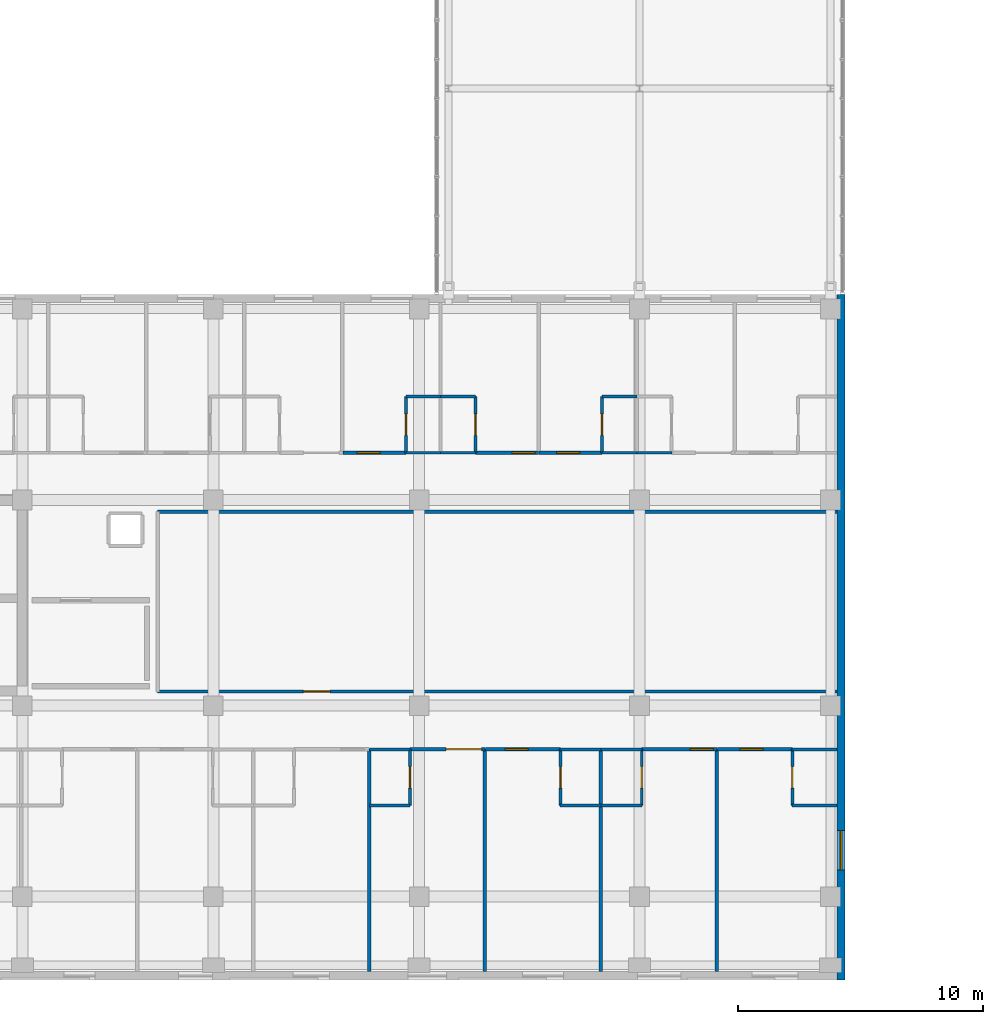
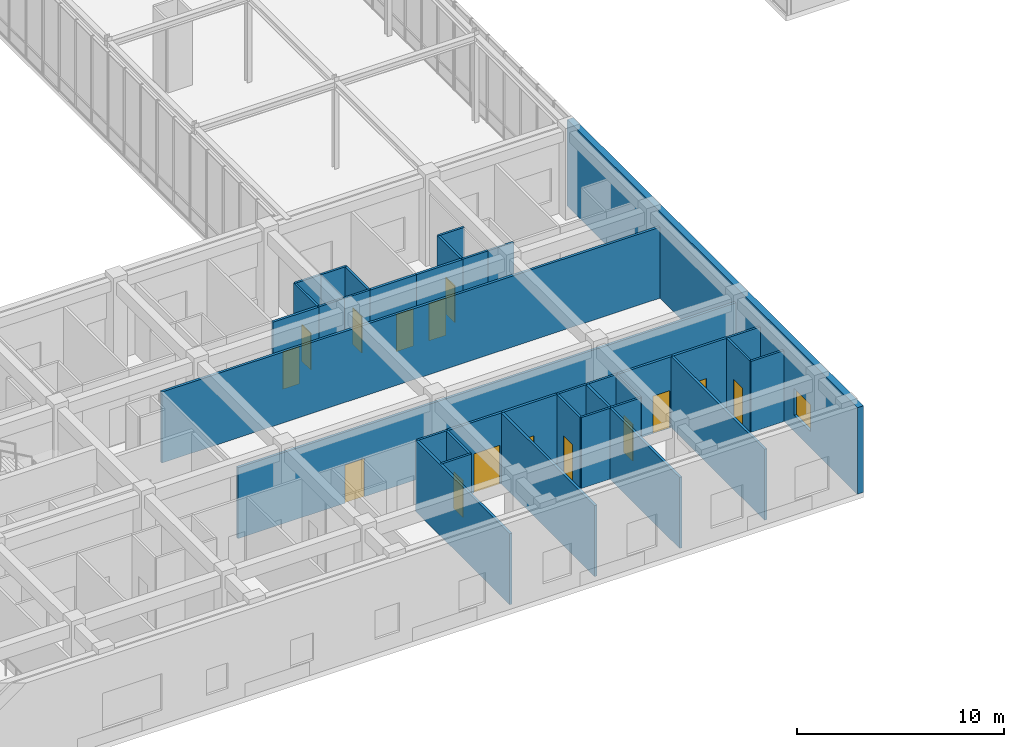
# One storey, part 109 of 139: 36 walls, 15 doors, 1 window, 16 openings.
"""IFC4 building model written with IfcOpenShell, lengths in metres."""

import ifcopenshell
import ifcopenshell.guid

model = None  # the IFC model being written
_history = None  # IfcOwnerHistory: only IFC2X3 demands one
_inside = {}  # id of a spatial element -> (the spatial element, [elements in it])
_under = {}  # id of a project, library or spatial element -> (it, [spatial elements below it])
_declared = {}  # id of a project -> (the project, [libraries it declares])
_typed = {}  # id of a type object -> (the type object, [elements of that type])
_made_of = {}  # id of a material, layer set ... -> (it, [elements and type objects made of it])


def new_model(schema):
    """Start an empty IFC model of exactly this schema.

    Asked for "IFC4X3", IfcOpenShell would pick the latest addendum, in which some entities
    have other attributes; the version numbers below select the first issue.
    IFC2X3 requires an IfcOwnerHistory on every rooted entity: one is made here for all.
    """
    global model, _history
    if schema == "IFC4X3":
        model = ifcopenshell.file(schema_version=(4, 3, 0, 0))
    else:
        model = ifcopenshell.file(schema=schema)
    _inside.clear()
    _under.clear()
    _declared.clear()
    _typed.clear()
    _made_of.clear()
    _history = None
    if model.schema == "IFC2X3":
        org = make("IfcOrganization", Name="unknown")
        user = make(
            "IfcPersonAndOrganization",
            ThePerson=make("IfcPerson", FamilyName="unknown"),
            TheOrganization=org,
        )
        app = make(
            "IfcApplication",
            ApplicationDeveloper=org,
            Version="unknown",
            ApplicationFullName="unknown",
            ApplicationIdentifier="unknown",
        )
        _history = make(
            "IfcOwnerHistory",
            OwningUser=user,
            OwningApplication=app,
            ChangeAction="ADDED",
            CreationDate=0,
        )
    return model


def make(cls, **values):
    """One entity of the class cls with the attributes given. An attribute that is None is left unset."""
    return model.create_entity(
        cls, **{name: value for name, value in values.items() if value is not None}
    )


def rooted(cls, **values):
    """An entity with a GlobalId (a new one), such as an element, a storey or a relation."""
    return make(cls, GlobalId=ifcopenshell.guid.new(), OwnerHistory=_history, **values)


def si_unit(unit_type, name, prefix=None):
    """IfcSIUnit, for example si_unit("LENGTHUNIT", "METRE", prefix="MILLI")."""
    return make("IfcSIUnit", UnitType=unit_type, Prefix=prefix, Name=name)


def assignment(units):
    """IfcUnitAssignment: the units of a project."""
    return None if units is None else make("IfcUnitAssignment", Units=units)


def point(xyz):
    """IfcCartesianPoint."""
    return None if xyz is None else make("IfcCartesianPoint", Coordinates=xyz)


def direction(xyz):
    """IfcDirection."""
    return None if xyz is None else make("IfcDirection", DirectionRatios=xyz)


def frame(location, z_axis=None, x_axis=None):
    """IfcAxis2Placement3D, a coordinate frame: its origin and axes. An axis left out is left unset."""
    return make(
        "IfcAxis2Placement3D",
        Location=point(location),
        Axis=direction(z_axis),
        RefDirection=direction(x_axis),
    )


def frame_2d(location, x_axis=None):
    """IfcAxis2Placement2D, a coordinate frame in the plane: its origin and x axis."""
    return make(
        "IfcAxis2Placement2D", Location=point(location), RefDirection=direction(x_axis)
    )


def origin():
    """The frame at (0, 0, 0) with its axes left unset."""
    return frame((0.0, 0.0, 0.0))


def place(relative_to, where):
    """IfcLocalPlacement: puts the frame where relative to a parent placement (None: the world)."""
    return make(
        "IfcLocalPlacement", PlacementRelTo=relative_to, RelativePlacement=where
    )


def context(
    kind, dimensions, precision=None, world=None, true_north=None, identifier=None
):
    """IfcGeometricRepresentationContext, for example the 3D "Model" context."""
    return make(
        "IfcGeometricRepresentationContext",
        ContextIdentifier=identifier,
        ContextType=kind,
        CoordinateSpaceDimension=dimensions,
        Precision=precision,
        WorldCoordinateSystem=world,
        TrueNorth=true_north,
    )


def subcontext(parent, identifier, kind, view, scale=None):
    """IfcGeometricRepresentationSubContext, for example "Body" below "Model"."""
    return make(
        "IfcGeometricRepresentationSubContext",
        ContextIdentifier=identifier,
        ContextType=kind,
        ParentContext=parent,
        TargetScale=scale,
        TargetView=view,
    )


def project(units=None, contexts=None):
    """IfcProject with its units and contexts."""
    return rooted(
        "IfcProject",
        Name="project",
        RepresentationContexts=contexts,
        UnitsInContext=assignment(units),
    )


def spatial(cls, under=None, at=None, **own):
    """A site, building, storey or space (cls), placed at a placement, below another one or the project."""
    s = rooted(cls, ObjectPlacement=at, **own)
    if under is not None:
        _under.setdefault(under.id(), (under, []))[1].append(s)
    return s


def profile(cls, at=None, kind="AREA", **sizes):
    """A parametric profile (cls). Its sizes go by their IFC names, for example OverallWidth=200.0."""
    return make(cls, ProfileType=kind, Position=at, **sizes)


def rectangle(**sizes):
    """IfcRectangleProfileDef."""
    return profile("IfcRectangleProfileDef", **sizes)


def extrude(swept, where, along, depth):
    """IfcExtrudedAreaSolid: the profile swept, set in the frame where, extruded along a direction by depth."""
    return make(
        "IfcExtrudedAreaSolid",
        SweptArea=swept,
        Position=where,
        ExtrudedDirection=direction(along),
        Depth=depth,
    )


def shape(context_of_items, identifier, shape_type, items):
    """IfcShapeRepresentation: the items that make up one representation, for example the "Body"."""
    return make(
        "IfcShapeRepresentation",
        ContextOfItems=context_of_items,
        RepresentationIdentifier=identifier,
        RepresentationType=shape_type,
        Items=items,
    )


def material(Name=None, Category=None):
    """IfcMaterial."""
    return make("IfcMaterial", Name=Name, Category=Category)


def layer(
    of_material, thickness, ventilated=None, Name=None, Category=None, Priority=None
):
    """IfcMaterialLayer: one layer of a wall or slab, of a material (None: an air gap)."""
    return make(
        "IfcMaterialLayer",
        Material=of_material,
        LayerThickness=thickness,
        IsVentilated=ventilated,
        Name=Name,
        Category=Category,
        Priority=Priority,
    )


def layer_set(layers, Name=None):
    """IfcMaterialLayerSet."""
    return make("IfcMaterialLayerSet", MaterialLayers=layers, LayerSetName=Name)


def made_of(thing, what):
    """Note that an element or type object is made of a material, layer set ...; save() writes the relation."""
    if what is not None:
        _made_of.setdefault(what.id(), (what, []))[1].append(thing)
    return thing


def type_object(cls, material=None, **own):
    """A type object (cls), such as IfcWallType, which elements share."""
    return made_of(rooted(cls, **own), material)


def element(
    cls,
    number,
    at=None,
    inside=None,
    cuts=None,
    type_object=None,
    material=None,
    context=None,
    identifier="Body",
    shape_type=None,
    held_by="IfcProductDefinitionShape",
    body=None,
    shapes=None,
    **own,
):
    """One element of the class cls, such as IfcWall. Its Tag is "e" and its number.

    at: its placement. inside: the storey or other place that contains it. cuts: it is an
    opening in that element (IfcRelVoidsElement). A single representation is given by context,
    identifier, shape_type and body (its items); several are given by shapes. held_by: the class
    of the entity that holds the representations. save() writes the other relations.
    """
    e = rooted(cls, Tag="e%d" % number, ObjectPlacement=at, **own)
    if body is not None:
        shapes = [shape(context, identifier, shape_type, body)]
    if shapes is not None:
        e.Representation = make(held_by, Representations=shapes)
    if inside is not None:
        _inside.setdefault(inside.id(), (inside, []))[1].append(e)
    if cuts is not None:
        rooted(
            "IfcRelVoidsElement", RelatingBuildingElement=cuts, RelatedOpeningElement=e
        )
    if type_object is not None:
        _typed.setdefault(type_object.id(), (type_object, []))[1].append(e)
    return made_of(e, material)


def fill(opening, filler):
    """IfcRelFillsElement: the door or window that sits in an opening."""
    return rooted(
        "IfcRelFillsElement",
        RelatingOpeningElement=opening,
        RelatedBuildingElement=filler,
    )


def aggregate(whole, parts):
    """IfcRelAggregates: a whole, such as a stair, and the parts it consists of."""
    return rooted("IfcRelAggregates", RelatingObject=whole, RelatedObjects=parts)


def save(model, path):
    """Write the relations noted so far, then the file.

    IfcRelAggregates (storeys below a building ...), IfcRelContainedInSpatialStructure (elements
    in a storey), IfcRelDefinesByType, IfcRelAssociatesMaterial and IfcRelDeclares: one each for
    every whole, place, type object, material and project.
    """
    for whole, parts in _under.values():
        aggregate(whole, parts)
    for where, things in _inside.values():
        rooted(
            "IfcRelContainedInSpatialStructure",
            RelatedElements=things,
            RelatingStructure=where,
        )
    for kind, things in _typed.values():
        rooted("IfcRelDefinesByType", RelatedObjects=things, RelatingType=kind)
    for what, things in _made_of.values():
        rooted("IfcRelAssociatesMaterial", RelatedObjects=things, RelatingMaterial=what)
    for by, libraries in _declared.values():
        rooted("IfcRelDeclares", RelatingContext=by, RelatedDefinitions=libraries)
    model.write(path)


model = new_model("IFC4")

# Units and contexts
model_context = context("Model", 3, precision=1e-05, world=origin(), true_north=direction((0.0, 1.0)))
body_context = subcontext(model_context, "Body", "Model", "MODEL_VIEW")
ifc_project = project(units=[si_unit("LENGTHUNIT", "METRE"), si_unit("AREAUNIT", "SQUARE_METRE"), si_unit("VOLUMEUNIT", "CUBIC_METRE"), si_unit("PLANEANGLEUNIT", "RADIAN"), si_unit("MASSUNIT", "GRAM", prefix="KILO")], contexts=[model_context])

# Site, building, storey
site_placement = place(None, origin())
site = spatial("IfcSite", under=ifc_project, at=site_placement, CompositionType="ELEMENT")
building_placement = place(site_placement, origin())
building = spatial("IfcBuilding", under=site, at=building_placement, Name="Zayran Congress Hotel", CompositionType="ELEMENT")
storey_placement = place(building_placement, frame((0.0, 0.0, 5.39990234375)))
storey = spatial("IfcBuildingStorey", under=building, at=storey_placement, Name="L01", CompositionType="ELEMENT", Elevation=5.39990234375)

# Wall, opening, window
ifc_material_1 = material(Name="Hajar Ma'ani limestone and insulated concrete C32/40", Category="masonry")
ifc_layer_1 = layer(ifc_material_1, 0.340087890625)
ifc_layer_set_1 = layer_set([ifc_layer_1], Name="Hajar Ma'ani limestone and insulated concrete C32/40")
wall_type_1 = type_object("IfcWallType", Name="WL-EX-340", PredefinedType="SOLIDWALL", material=ifc_layer_set_1)
wall_1_placement = place(storey_placement, frame((92.22998046875, 34.0, 0.0), z_axis=(0.0, 0.0, 1.0), x_axis=(0.0, -1.0, 0.0)))
wall_1 = element("IfcWall", 1, at=wall_1_placement, inside=storey, type_object=wall_type_1, Name="EW-V5-E-L01", PredefinedType="SOLIDWALL", context=body_context, shape_type="SweptSolid", body=[
    extrude(rectangle(XDim=28.0, YDim=0.340087890625, at=frame_2d((14.0, 0.0))), origin(), (0.0, 0.0, 1.0), 5.10009765625),
])
opening_1_placement = place(wall_1_placement, frame((21.89990234375, 0.0, 0.949951171875)))
opening_1 = element("IfcOpeningElement", 2, at=opening_1_placement, cuts=wall_1, Name="Opening WN-15", PredefinedType="OPENING", context=body_context, shape_type="SweptSolid", body=[
    extrude(rectangle(XDim=1.60009765625, YDim=1.60009765625, at=frame_2d((0.800048828125, 0.800048828125))), frame((0.0, 0.179931640625, 0.0), z_axis=(0.0, -1.0, 0.0), x_axis=(1.0, 0.0, 0.0)), (0.0, 0.0, 1.0), 0.360107421875),
])
ifc_material_2 = material(Name="Anodised aluminium and low-E insulated glass", Category="aluminium")
window_type = type_object("IfcWindowType", Name="TP-WN-15", PartitioningType="SINGLE_PANEL", PredefinedType="WINDOW", material=ifc_material_2)
window_placement = place(opening_1_placement, origin())
window = element("IfcWindow", 3, at=window_placement, inside=storey, type_object=window_type, Name="WIN-V5E-L01", OverallHeight=1.60009765625, OverallWidth=1.60009765625, PartitioningType="SINGLE_PANEL", PredefinedType="WINDOW", context=body_context, shape_type="SweptSolid", body=[
    extrude(rectangle(XDim=1.60009765625, YDim=1.60009765625, at=frame_2d((0.800048828125, 0.800048828125))), frame((0.0, 0.030029296875, 0.0), z_axis=(0.0, -1.0, 0.0), x_axis=(1.0, 0.0, 0.0)), (0.0, 0.0, 1.0), 0.06005859375),
])
fill(opening_1, window)

# Wall, opening, door
ifc_material_3 = material(Name="Hospitality guestroom acoustic partition", Category="gypsum")
ifc_layer_2 = layer(ifc_material_3, 0.139892578125)
ifc_layer_set_2 = layer_set([ifc_layer_2], Name="Hospitality guestroom acoustic partition")
wall_type_2 = type_object("IfcWallType", Name="WL-PT-140", PredefinedType="PARTITIONING", material=ifc_layer_set_2)
wall_2_placement = place(storey_placement, frame((64.320068359375, 17.780029296875, 0.0), z_axis=(0.0, 0.0, 1.0), x_axis=(1.0, 0.0, 0.0)))
wall_2 = element("IfcWall", 4, at=wall_2_placement, inside=storey, type_object=wall_type_2, Name="IW-L01-0447", PredefinedType="PARTITIONING", context=body_context, shape_type="SweptSolid", body=[
    extrude(rectangle(XDim=27.739990234375, YDim=0.139892578125, at=frame_2d((13.8701171875, 0.0))), origin(), (0.0, 0.0, 1.0), 4.18017578125),
])
opening_2_placement = place(wall_2_placement, frame((5.9580078125, 0.0, 0.0)))
opening_2 = element("IfcOpeningElement", 5, at=opening_2_placement, cuts=wall_2, Name="Opening DR-MT-01", PredefinedType="OPENING", context=body_context, shape_type="SweptSolid", body=[
    extrude(rectangle(XDim=1.080078125, YDim=2.25, at=frame_2d((0.5400390625, 1.125))), frame((0.0, 0.079833984375, 0.0), z_axis=(0.0, -1.0, 0.0), x_axis=(1.0, 0.0, 0.0)), (0.0, 0.0, 1.0), 0.159912109375),
])
ifc_material_4 = material(Name="Acoustic timber seminar room door", Category="wood")
door_type_1 = type_object("IfcDoorType", Name="TP-DR-MT-01", OperationType="NOTDEFINED", PredefinedType="DOOR", material=ifc_material_4)
door_1_placement = place(opening_2_placement, origin())
door_1 = element("IfcDoor", 6, at=door_1_placement, inside=storey, type_object=door_type_1, Name="Delegate Study Salon East L01 Door", OperationType="SINGLE_SWING_LEFT", OverallHeight=2.25, OverallWidth=1.080078125, PredefinedType="DOOR", context=body_context, shape_type="SweptSolid", body=[
    extrude(rectangle(XDim=1.080078125, YDim=2.25, at=frame_2d((0.5400390625, 1.125))), frame((0.0, 0.02490234375, 0.0), z_axis=(0.0, -1.0, 0.0), x_axis=(1.0, 0.0, 0.0)), (0.0, 0.0, 1.0), 0.050048828125),
])
fill(opening_2, door_1)

wall_3_placement = place(storey_placement, frame((74.6259765625, 15.419921875, 0.0), z_axis=(0.0, 0.0, 1.0), x_axis=(1.0, 0.0, 0.0)))
wall_3 = element("IfcWall", 7, at=wall_3_placement, inside=storey, type_object=wall_type_2, Name="IW-L01-0462", PredefinedType="PARTITIONING", context=body_context, shape_type="SweptSolid", body=[
    extrude(rectangle(XDim=3.06396484375, YDim=0.139892578125, at=frame_2d((1.531982421875, 0.0))), origin(), (0.0, 0.0, 1.0), 4.18017578125),
])
opening_3_placement = place(wall_3_placement, frame((1.47412109375, 0.0, 0.0)))
opening_3 = element("IfcOpeningElement", 8, at=opening_3_placement, cuts=wall_3, Name="Opening DR-ST-01", PredefinedType="OPENING", context=body_context, shape_type="SweptSolid", body=[
    extrude(rectangle(XDim=1.449951171875, YDim=2.300048828125, at=frame_2d((0.72509765625, 1.14990234375))), frame((0.0, 0.079833984375, 0.0), z_axis=(0.0, -1.0, 0.0), x_axis=(1.0, 0.0, 0.0)), (0.0, 0.0, 1.0), 0.159912109375),
])
ifc_material_5 = material(Name="Double walnut veneer suite entry door", Category="wood")
door_type_2 = type_object("IfcDoorType", Name="TP-DR-ST-01", OperationType="DOUBLE_DOOR_SINGLE_SWING", PredefinedType="DOOR", material=ifc_material_5)
door_2_placement = place(opening_3_placement, origin())
door_2 = element("IfcDoor", 9, at=door_2_placement, inside=storey, type_object=door_type_2, Name="Junior Suite L01-15 Door", OperationType="DOUBLE_DOOR_SINGLE_SWING", OverallHeight=2.300048828125, OverallWidth=1.449951171875, PredefinedType="DOOR", context=body_context, shape_type="SweptSolid", body=[
    extrude(rectangle(XDim=1.449951171875, YDim=2.300048828125, at=frame_2d((0.72509765625, 1.14990234375))), frame((0.0, 0.02490234375, 0.0), z_axis=(0.0, -1.0, 0.0), x_axis=(1.0, 0.0, 0.0)), (0.0, 0.0, 1.0), 0.050048828125),
])
fill(opening_3, door_2)

wall_4_placement = place(storey_placement, frame((77.7099609375, 15.419921875, 0.0), z_axis=(0.0, 0.0, 1.0), x_axis=(1.0, 0.0, 0.0)))
wall_4 = element("IfcWall", 10, at=wall_4_placement, inside=storey, type_object=wall_type_2, Name="IW-L01-0463", PredefinedType="PARTITIONING", context=body_context, shape_type="SweptSolid", body=[
    extrude(rectangle(XDim=3.06396484375, YDim=0.139892578125, at=frame_2d((1.531982421875, 0.0))), origin(), (0.0, 0.0, 1.0), 4.18017578125),
])
opening_4_placement = place(wall_4_placement, frame((0.799072265625, 0.0, 0.0)))
opening_4 = element("IfcOpeningElement", 11, at=opening_4_placement, cuts=wall_4, Name="Opening DR-GR-01", PredefinedType="OPENING", context=body_context, shape_type="SweptSolid", body=[
    extrude(rectangle(XDim=0.93994140625, YDim=2.199951171875, at=frame_2d((0.469970703125, 1.10009765625))), frame((0.0, 0.079833984375, 0.0), z_axis=(0.0, -1.0, 0.0), x_axis=(1.0, 0.0, 0.0)), (0.0, 0.0, 1.0), 0.159912109375),
])
ifc_material_6 = material(Name="Acoustic walnut veneer fire-rated entry door", Category="wood")
door_type_3 = type_object("IfcDoorType", Name="TP-DR-GR-01", OperationType="NOTDEFINED", PredefinedType="DOOR", material=ifc_material_6)
door_3_placement = place(opening_4_placement, origin())
door_3 = element("IfcDoor", 12, at=door_3_placement, inside=storey, type_object=door_type_3, Name="Guest Room L01-16 Door", OperationType="SINGLE_SWING_LEFT", OverallHeight=2.199951171875, OverallWidth=0.93994140625, PredefinedType="DOOR", context=body_context, shape_type="SweptSolid", body=[
    extrude(rectangle(XDim=0.93994140625, YDim=2.199951171875, at=frame_2d((0.469970703125, 1.10009765625))), frame((0.0, 0.02490234375, 0.0), z_axis=(0.0, -1.0, 0.0), x_axis=(1.0, 0.0, 0.0)), (0.0, 0.0, 1.0), 0.050048828125),
])
fill(opening_4, door_3)

wall_5_placement = place(storey_placement, frame((84.092041015625, 15.419921875, 0.0), z_axis=(0.0, 0.0, 1.0), x_axis=(1.0, 0.0, 0.0)))
wall_5 = element("IfcWall", 13, at=wall_5_placement, inside=storey, type_object=wall_type_2, Name="IW-L01-0464", PredefinedType="PARTITIONING", context=body_context, shape_type="SweptSolid", body=[
    extrude(rectangle(XDim=3.06494140625, YDim=0.139892578125, at=frame_2d((1.532470703125, 0.0))), origin(), (0.0, 0.0, 1.0), 4.18017578125),
])
opening_5_placement = place(wall_5_placement, frame((1.985107421875, 0.0, 0.0)))
opening_5 = element("IfcOpeningElement", 14, at=opening_5_placement, cuts=wall_5, Name="Opening DR-GR-01", PredefinedType="OPENING", context=body_context, shape_type="SweptSolid", body=[
    extrude(rectangle(XDim=0.93994140625, YDim=2.199951171875, at=frame_2d((0.469970703125, 1.10009765625))), frame((0.0, 0.079833984375, 0.0), z_axis=(0.0, -1.0, 0.0), x_axis=(1.0, 0.0, 0.0)), (0.0, 0.0, 1.0), 0.159912109375),
])
door_4_placement = place(opening_5_placement, origin())
door_4 = element("IfcDoor", 15, at=door_4_placement, inside=storey, type_object=door_type_3, Name="Guest Room L01-17 Door", OperationType="SINGLE_SWING_RIGHT", OverallHeight=2.199951171875, OverallWidth=0.93994140625, PredefinedType="DOOR", context=body_context, shape_type="SweptSolid", body=[
    extrude(rectangle(XDim=0.93994140625, YDim=2.199951171875, at=frame_2d((0.469970703125, 1.10009765625))), frame((0.0, 0.02490234375, 0.0), z_axis=(0.0, -1.0, 0.0), x_axis=(1.0, 0.0, 0.0)), (0.0, 0.0, 1.0), 0.050048828125),
])
fill(opening_5, door_4)

wall_6_placement = place(storey_placement, frame((87.177001953125, 15.419921875, 0.0), z_axis=(0.0, 0.0, 1.0), x_axis=(1.0, 0.0, 0.0)))
wall_6 = element("IfcWall", 16, at=wall_6_placement, inside=storey, type_object=wall_type_2, Name="IW-L01-0465", PredefinedType="PARTITIONING", context=body_context, shape_type="SweptSolid", body=[
    extrude(rectangle(XDim=3.06396484375, YDim=0.139892578125, at=frame_2d((1.531982421875, 0.0))), origin(), (0.0, 0.0, 1.0), 4.18017578125),
])
opening_6_placement = place(wall_6_placement, frame((0.929931640625, 0.0, 0.0)))
opening_6 = element("IfcOpeningElement", 17, at=opening_6_placement, cuts=wall_6, Name="Opening DR-GR-01", PredefinedType="OPENING", context=body_context, shape_type="SweptSolid", body=[
    extrude(rectangle(XDim=0.93994140625, YDim=2.199951171875, at=frame_2d((0.469970703125, 1.10009765625))), frame((0.0, 0.079833984375, 0.0), z_axis=(0.0, -1.0, 0.0), x_axis=(1.0, 0.0, 0.0)), (0.0, 0.0, 1.0), 0.159912109375),
])
door_5_placement = place(opening_6_placement, origin())
door_5 = element("IfcDoor", 18, at=door_5_placement, inside=storey, type_object=door_type_3, Name="Guest Room L01-18 Door", OperationType="SINGLE_SWING_LEFT", OverallHeight=2.199951171875, OverallWidth=0.93994140625, PredefinedType="DOOR", context=body_context, shape_type="SweptSolid", body=[
    extrude(rectangle(XDim=0.93994140625, YDim=2.199951171875, at=frame_2d((0.469970703125, 1.10009765625))), frame((0.0, 0.02490234375, 0.0), z_axis=(0.0, -1.0, 0.0), x_axis=(1.0, 0.0, 0.0)), (0.0, 0.0, 1.0), 0.050048828125),
])
fill(opening_6, door_5)

wall_7_placement = place(storey_placement, frame((71.89111328125, 27.530029296875, 0.0), z_axis=(0.0, 0.0, 1.0), x_axis=(1.0, 0.0, 0.0)))
wall_7 = element("IfcWall", 19, at=wall_7_placement, inside=storey, type_object=wall_type_2, Name="IW-L01-0481", PredefinedType="PARTITIONING", context=body_context, shape_type="SweptSolid", body=[
    extrude(rectangle(XDim=2.574951171875, YDim=0.139892578125, at=frame_2d((1.28759765625, 0.0))), origin(), (0.0, 0.0, 1.0), 4.18017578125),
])
opening_7_placement = place(wall_7_placement, frame((0.575927734375, 0.0, 0.0)))
opening_7 = element("IfcOpeningElement", 20, at=opening_7_placement, cuts=wall_7, Name="Opening DR-GR-01", PredefinedType="OPENING", context=body_context, shape_type="SweptSolid", body=[
    extrude(rectangle(XDim=0.93994140625, YDim=2.199951171875, at=frame_2d((0.469970703125, 1.10009765625))), frame((0.0, 0.079833984375, 0.0), z_axis=(0.0, -1.0, 0.0), x_axis=(1.0, 0.0, 0.0)), (0.0, 0.0, 1.0), 0.159912109375),
])
door_6_placement = place(opening_7_placement, origin())
door_6 = element("IfcDoor", 21, at=door_6_placement, inside=storey, type_object=door_type_3, Name="Guest Room L01-32 Door", OperationType="SINGLE_SWING_LEFT", OverallHeight=2.199951171875, OverallWidth=0.93994140625, PredefinedType="DOOR", context=body_context, shape_type="SweptSolid", body=[
    extrude(rectangle(XDim=0.93994140625, YDim=2.199951171875, at=frame_2d((0.469970703125, 1.10009765625))), frame((0.0, 0.02490234375, 0.0), z_axis=(0.0, -1.0, 0.0), x_axis=(1.0, 0.0, 0.0)), (0.0, 0.0, 1.0), 0.050048828125),
])
fill(opening_7, door_6)

wall_8_placement = place(storey_placement, frame((77.302978515625, 27.530029296875, 0.0), z_axis=(0.0, 0.0, 1.0), x_axis=(1.0, 0.0, 0.0)))
wall_8 = element("IfcWall", 22, at=wall_8_placement, inside=storey, type_object=wall_type_2, Name="IW-L01-0482", PredefinedType="PARTITIONING", context=body_context, shape_type="SweptSolid", body=[
    extrude(rectangle(XDim=2.574951171875, YDim=0.139892578125, at=frame_2d((1.28759765625, 0.0))), origin(), (0.0, 0.0, 1.0), 4.18017578125),
])
opening_8_placement = place(wall_8_placement, frame((1.4951171875, 0.0, 0.0)))
opening_8 = element("IfcOpeningElement", 23, at=opening_8_placement, cuts=wall_8, Name="Opening DR-GR-01", PredefinedType="OPENING", context=body_context, shape_type="SweptSolid", body=[
    extrude(rectangle(XDim=0.93994140625, YDim=2.199951171875, at=frame_2d((0.469970703125, 1.10009765625))), frame((0.0, 0.079833984375, 0.0), z_axis=(0.0, -1.0, 0.0), x_axis=(1.0, 0.0, 0.0)), (0.0, 0.0, 1.0), 0.159912109375),
])
door_7_placement = place(opening_8_placement, origin())
door_7 = element("IfcDoor", 24, at=door_7_placement, inside=storey, type_object=door_type_3, Name="Guest Room L01-33 Door", OperationType="SINGLE_SWING_RIGHT", OverallHeight=2.199951171875, OverallWidth=0.93994140625, PredefinedType="DOOR", context=body_context, shape_type="SweptSolid", body=[
    extrude(rectangle(XDim=0.93994140625, YDim=2.199951171875, at=frame_2d((0.469970703125, 1.10009765625))), frame((0.0, 0.02490234375, 0.0), z_axis=(0.0, -1.0, 0.0), x_axis=(1.0, 0.0, 0.0)), (0.0, 0.0, 1.0), 0.050048828125),
])
fill(opening_8, door_7)

wall_9_placement = place(storey_placement, frame((79.89794921875, 27.530029296875, 0.0), z_axis=(0.0, 0.0, 1.0), x_axis=(1.0, 0.0, 0.0)))
wall_9 = element("IfcWall", 25, at=wall_9_placement, inside=storey, type_object=wall_type_2, Name="IW-L01-0483", PredefinedType="PARTITIONING", context=body_context, shape_type="SweptSolid", body=[
    extrude(rectangle(XDim=2.574951171875, YDim=0.139892578125, at=frame_2d((1.28759765625, 0.0))), origin(), (0.0, 0.0, 1.0), 4.18017578125),
])
opening_9_placement = place(wall_9_placement, frame((0.720947265625, 0.0, 0.0)))
opening_9 = element("IfcOpeningElement", 26, at=opening_9_placement, cuts=wall_9, Name="Opening DR-GR-01", PredefinedType="OPENING", context=body_context, shape_type="SweptSolid", body=[
    extrude(rectangle(XDim=0.93994140625, YDim=2.199951171875, at=frame_2d((0.469970703125, 1.10009765625))), frame((0.0, 0.079833984375, 0.0), z_axis=(0.0, -1.0, 0.0), x_axis=(1.0, 0.0, 0.0)), (0.0, 0.0, 1.0), 0.159912109375),
])
door_8_placement = place(opening_9_placement, origin())
door_8 = element("IfcDoor", 27, at=door_8_placement, inside=storey, type_object=door_type_3, Name="Guest Room L01-34 Door", OperationType="SINGLE_SWING_LEFT", OverallHeight=2.199951171875, OverallWidth=0.93994140625, PredefinedType="DOOR", context=body_context, shape_type="SweptSolid", body=[
    extrude(rectangle(XDim=0.93994140625, YDim=2.199951171875, at=frame_2d((0.469970703125, 1.10009765625))), frame((0.0, 0.02490234375, 0.0), z_axis=(0.0, -1.0, 0.0), x_axis=(1.0, 0.0, 0.0)), (0.0, 0.0, 1.0), 0.050048828125),
])
fill(opening_9, door_8)

# Walls
wall_10_placement = place(storey_placement, frame((64.320068359375, 25.1201171875, 0.0), z_axis=(0.0, 0.0, 1.0), x_axis=(1.0, 0.0, 0.0)))
element("IfcWall", 28, at=wall_10_placement, inside=storey, type_object=wall_type_2, Name="IW-L01-1739", PredefinedType="PARTITIONING", context=body_context, shape_type="SweptSolid", body=[
    extrude(rectangle(XDim=27.739990234375, YDim=0.139892578125, at=frame_2d((13.8701171875, 0.0))), origin(), (0.0, 0.0, 1.0), 4.18017578125),
])
for number, where, z_axis, x_axis, name in (
    (29, (72.95703125, 6.340087890625, 0.0), (0.0, 0.0, 1.0), (0.0, 1.0, 0.0), "IW-L01-1755"),
    (30, (77.68994140625, 6.340087890625, 0.0), (0.0, 0.0, 1.0), (0.0, 1.0, 0.0), "IW-L01-1756"),
    (31, (82.423095703125, 6.340087890625, 0.0), (0.0, 0.0, 1.0), (0.0, 1.0, 0.0), "IW-L01-1757"),
    (32, (87.156982421875, 6.340087890625, 0.0), (0.0, 0.0, 1.0), (0.0, 1.0, 0.0), "IW-L01-1758"),
):
    element("IfcWall", number, at=place(storey_placement, frame(where, z_axis=z_axis, x_axis=x_axis)), inside=storey, type_object=wall_type_2, Name=name, PredefinedType="PARTITIONING", context=body_context, shape_type="SweptSolid", body=[
        extrude(rectangle(XDim=9.08984375, YDim=0.139892578125, at=frame_2d((4.544921875, 0.0))), origin(), (0.0, 0.0, 1.0), 4.18017578125),
    ])

# Wall, opening, door
ifc_material_7 = material(Name="Moisture-resistant bathroom partition", Category="gypsum")
ifc_layer_3 = layer(ifc_material_7, 0.1201171875)
ifc_layer_set_3 = layer_set([ifc_layer_3], Name="Moisture-resistant bathroom partition")
wall_type_3 = type_object("IfcWallType", Name="WL-PT-120", PredefinedType="PARTITIONING", material=ifc_layer_set_3)
wall_11_placement = place(storey_placement, frame((74.6259765625, 13.1201171875, 0.0), z_axis=(0.0, 0.0, 1.0), x_axis=(0.0, 1.0, 0.0)))
wall_11 = element("IfcWall", 33, at=wall_11_placement, inside=storey, type_object=wall_type_3, Name="IW-L01-0031", PredefinedType="PARTITIONING", context=body_context, shape_type="SweptSolid", body=[
    extrude(rectangle(XDim=2.309814453125, YDim=0.1201171875, at=frame_2d((1.15478515625, 0.0))), origin(), (0.0, 0.0, 1.0), 4.18017578125),
])
opening_10_placement = place(wall_11_placement, frame((0.715087890625, 0.0, 0.0)))
opening_10 = element("IfcOpeningElement", 34, at=opening_10_placement, cuts=wall_11, Name="Opening DR-BT-01", PredefinedType="OPENING", context=body_context, shape_type="SweptSolid", body=[
    extrude(rectangle(XDim=0.8798828125, YDim=2.14990234375, at=frame_2d((0.43994140625, 1.074951171875))), frame((0.0, 0.070068359375, 0.0), z_axis=(0.0, -1.0, 0.0), x_axis=(1.0, 0.0, 0.0)), (0.0, 0.0, 1.0), 0.14013671875),
])
ifc_material_8 = material(Name="Moisture-resistant oak en-suite door", Category="wood")
door_type_4 = type_object("IfcDoorType", Name="TP-DR-BT-01", OperationType="NOTDEFINED", PredefinedType="DOOR", material=ifc_material_8)
door_9_placement = place(opening_10_placement, origin())
door_9 = element("IfcDoor", 35, at=door_9_placement, inside=storey, type_object=door_type_4, Name="En-Suite Bathroom L01-15 Door", OperationType="SINGLE_SWING_RIGHT", OverallHeight=2.14990234375, OverallWidth=0.8798828125, PredefinedType="DOOR", context=body_context, shape_type="SweptSolid", body=[
    extrude(rectangle(XDim=0.8798828125, YDim=2.14990234375, at=frame_2d((0.43994140625, 1.074951171875))), frame((0.0, 0.02490234375, 0.0), z_axis=(0.0, -1.0, 0.0), x_axis=(1.0, 0.0, 0.0)), (0.0, 0.0, 1.0), 0.050048828125),
])
fill(opening_10, door_9)

wall_12_placement = place(storey_placement, frame((80.77392578125, 13.1201171875, 0.0), z_axis=(0.0, 0.0, 1.0), x_axis=(0.0, 1.0, 0.0)))
wall_12 = element("IfcWall", 36, at=wall_12_placement, inside=storey, type_object=wall_type_3, Name="IW-L01-0032", PredefinedType="PARTITIONING", context=body_context, shape_type="SweptSolid", body=[
    extrude(rectangle(XDim=2.309814453125, YDim=0.1201171875, at=frame_2d((1.15478515625, 0.0))), origin(), (0.0, 0.0, 1.0), 4.18017578125),
])
opening_11_placement = place(wall_12_placement, frame((0.715087890625, 0.0, 0.0)))
opening_11 = element("IfcOpeningElement", 37, at=opening_11_placement, cuts=wall_12, Name="Opening DR-BT-01", PredefinedType="OPENING", context=body_context, shape_type="SweptSolid", body=[
    extrude(rectangle(XDim=0.8798828125, YDim=2.14990234375, at=frame_2d((0.43994140625, 1.074951171875))), frame((0.0, 0.070068359375, 0.0), z_axis=(0.0, -1.0, 0.0), x_axis=(1.0, 0.0, 0.0)), (0.0, 0.0, 1.0), 0.14013671875),
])
door_10_placement = place(opening_11_placement, origin())
door_10 = element("IfcDoor", 38, at=door_10_placement, inside=storey, type_object=door_type_4, Name="En-Suite Bathroom L01-16 Door", OperationType="SINGLE_SWING_LEFT", OverallHeight=2.14990234375, OverallWidth=0.8798828125, PredefinedType="DOOR", context=body_context, shape_type="SweptSolid", body=[
    extrude(rectangle(XDim=0.8798828125, YDim=2.14990234375, at=frame_2d((0.43994140625, 1.074951171875))), frame((0.0, 0.02490234375, 0.0), z_axis=(0.0, -1.0, 0.0), x_axis=(1.0, 0.0, 0.0)), (0.0, 0.0, 1.0), 0.050048828125),
])
fill(opening_11, door_10)

wall_13_placement = place(storey_placement, frame((84.092041015625, 13.1201171875, 0.0), z_axis=(0.0, 0.0, 1.0), x_axis=(0.0, 1.0, 0.0)))
wall_13 = element("IfcWall", 39, at=wall_13_placement, inside=storey, type_object=wall_type_3, Name="IW-L01-0033", PredefinedType="PARTITIONING", context=body_context, shape_type="SweptSolid", body=[
    extrude(rectangle(XDim=2.309814453125, YDim=0.1201171875, at=frame_2d((1.15478515625, 0.0))), origin(), (0.0, 0.0, 1.0), 4.18017578125),
])
opening_12_placement = place(wall_13_placement, frame((0.715087890625, 0.0, 0.0)))
opening_12 = element("IfcOpeningElement", 40, at=opening_12_placement, cuts=wall_13, Name="Opening DR-BT-01", PredefinedType="OPENING", context=body_context, shape_type="SweptSolid", body=[
    extrude(rectangle(XDim=0.8798828125, YDim=2.14990234375, at=frame_2d((0.43994140625, 1.074951171875))), frame((0.0, 0.070068359375, 0.0), z_axis=(0.0, -1.0, 0.0), x_axis=(1.0, 0.0, 0.0)), (0.0, 0.0, 1.0), 0.14013671875),
])
door_11_placement = place(opening_12_placement, origin())
door_11 = element("IfcDoor", 41, at=door_11_placement, inside=storey, type_object=door_type_4, Name="En-Suite Bathroom L01-17 Door", OperationType="SINGLE_SWING_RIGHT", OverallHeight=2.14990234375, OverallWidth=0.8798828125, PredefinedType="DOOR", context=body_context, shape_type="SweptSolid", body=[
    extrude(rectangle(XDim=0.8798828125, YDim=2.14990234375, at=frame_2d((0.43994140625, 1.074951171875))), frame((0.0, 0.02490234375, 0.0), z_axis=(0.0, -1.0, 0.0), x_axis=(1.0, 0.0, 0.0)), (0.0, 0.0, 1.0), 0.050048828125),
])
fill(opening_12, door_11)

wall_14_placement = place(storey_placement, frame((90.240966796875, 13.1201171875, 0.0), z_axis=(0.0, 0.0, 1.0), x_axis=(0.0, 1.0, 0.0)))
wall_14 = element("IfcWall", 42, at=wall_14_placement, inside=storey, type_object=wall_type_3, Name="IW-L01-0034", PredefinedType="PARTITIONING", context=body_context, shape_type="SweptSolid", body=[
    extrude(rectangle(XDim=2.309814453125, YDim=0.1201171875, at=frame_2d((1.15478515625, 0.0))), origin(), (0.0, 0.0, 1.0), 4.18017578125),
])
opening_13_placement = place(wall_14_placement, frame((0.715087890625, 0.0, 0.0)))
opening_13 = element("IfcOpeningElement", 43, at=opening_13_placement, cuts=wall_14, Name="Opening DR-BT-01", PredefinedType="OPENING", context=body_context, shape_type="SweptSolid", body=[
    extrude(rectangle(XDim=0.8798828125, YDim=2.14990234375, at=frame_2d((0.43994140625, 1.074951171875))), frame((0.0, 0.070068359375, 0.0), z_axis=(0.0, -1.0, 0.0), x_axis=(1.0, 0.0, 0.0)), (0.0, 0.0, 1.0), 0.14013671875),
])
door_12_placement = place(opening_13_placement, origin())
door_12 = element("IfcDoor", 44, at=door_12_placement, inside=storey, type_object=door_type_4, Name="En-Suite Bathroom L01-18 Door", OperationType="SINGLE_SWING_LEFT", OverallHeight=2.14990234375, OverallWidth=0.8798828125, PredefinedType="DOOR", context=body_context, shape_type="SweptSolid", body=[
    extrude(rectangle(XDim=0.8798828125, YDim=2.14990234375, at=frame_2d((0.43994140625, 1.074951171875))), frame((0.0, 0.02490234375, 0.0), z_axis=(0.0, -1.0, 0.0), x_axis=(1.0, 0.0, 0.0)), (0.0, 0.0, 1.0), 0.050048828125),
])
fill(opening_13, door_12)

wall_15_placement = place(storey_placement, frame((74.466064453125, 27.52001953125, 0.0), z_axis=(0.0, 0.0, 1.0), x_axis=(0.0, 1.0, 0.0)))
wall_15 = element("IfcWall", 45, at=wall_15_placement, inside=storey, type_object=wall_type_3, Name="IW-L01-0048", PredefinedType="PARTITIONING", context=body_context, shape_type="SweptSolid", body=[
    extrude(rectangle(XDim=2.31005859375, YDim=0.1201171875, at=frame_2d((1.155029296875, 0.0))), origin(), (0.0, 0.0, 1.0), 4.18017578125),
])
opening_14_placement = place(wall_15_placement, frame((0.715087890625, 0.0, 0.0)))
opening_14 = element("IfcOpeningElement", 46, at=opening_14_placement, cuts=wall_15, Name="Opening DR-BT-01", PredefinedType="OPENING", context=body_context, shape_type="SweptSolid", body=[
    extrude(rectangle(XDim=0.8798828125, YDim=2.14990234375, at=frame_2d((0.43994140625, 1.074951171875))), frame((0.0, 0.070068359375, 0.0), z_axis=(0.0, -1.0, 0.0), x_axis=(1.0, 0.0, 0.0)), (0.0, 0.0, 1.0), 0.14013671875),
])
door_13_placement = place(opening_14_placement, origin())
door_13 = element("IfcDoor", 47, at=door_13_placement, inside=storey, type_object=door_type_4, Name="En-Suite Bathroom L01-32 Door", OperationType="SINGLE_SWING_LEFT", OverallHeight=2.14990234375, OverallWidth=0.8798828125, PredefinedType="DOOR", context=body_context, shape_type="SweptSolid", body=[
    extrude(rectangle(XDim=0.8798828125, YDim=2.14990234375, at=frame_2d((0.43994140625, 1.074951171875))), frame((0.0, 0.02490234375, 0.0), z_axis=(0.0, -1.0, 0.0), x_axis=(1.0, 0.0, 0.0)), (0.0, 0.0, 1.0), 0.050048828125),
])
fill(opening_14, door_13)

wall_16_placement = place(storey_placement, frame((77.302978515625, 27.52001953125, 0.0), z_axis=(0.0, 0.0, 1.0), x_axis=(0.0, 1.0, 0.0)))
wall_16 = element("IfcWall", 48, at=wall_16_placement, inside=storey, type_object=wall_type_3, Name="IW-L01-0049", PredefinedType="PARTITIONING", context=body_context, shape_type="SweptSolid", body=[
    extrude(rectangle(XDim=2.31005859375, YDim=0.1201171875, at=frame_2d((1.155029296875, 0.0))), origin(), (0.0, 0.0, 1.0), 4.18017578125),
])
opening_15_placement = place(wall_16_placement, frame((0.715087890625, 0.0, 0.0)))
opening_15 = element("IfcOpeningElement", 49, at=opening_15_placement, cuts=wall_16, Name="Opening DR-BT-01", PredefinedType="OPENING", context=body_context, shape_type="SweptSolid", body=[
    extrude(rectangle(XDim=0.8798828125, YDim=2.14990234375, at=frame_2d((0.43994140625, 1.074951171875))), frame((0.0, 0.070068359375, 0.0), z_axis=(0.0, -1.0, 0.0), x_axis=(1.0, 0.0, 0.0)), (0.0, 0.0, 1.0), 0.14013671875),
])
door_14_placement = place(opening_15_placement, origin())
door_14 = element("IfcDoor", 50, at=door_14_placement, inside=storey, type_object=door_type_4, Name="En-Suite Bathroom L01-33 Door", OperationType="SINGLE_SWING_RIGHT", OverallHeight=2.14990234375, OverallWidth=0.8798828125, PredefinedType="DOOR", context=body_context, shape_type="SweptSolid", body=[
    extrude(rectangle(XDim=0.8798828125, YDim=2.14990234375, at=frame_2d((0.43994140625, 1.074951171875))), frame((0.0, 0.02490234375, 0.0), z_axis=(0.0, -1.0, 0.0), x_axis=(1.0, 0.0, 0.0)), (0.0, 0.0, 1.0), 0.050048828125),
])
fill(opening_15, door_14)

wall_17_placement = place(storey_placement, frame((82.472900390625, 27.52001953125, 0.0), z_axis=(0.0, 0.0, 1.0), x_axis=(0.0, 1.0, 0.0)))
wall_17 = element("IfcWall", 51, at=wall_17_placement, inside=storey, type_object=wall_type_3, Name="IW-L01-0050", PredefinedType="PARTITIONING", context=body_context, shape_type="SweptSolid", body=[
    extrude(rectangle(XDim=2.31005859375, YDim=0.1201171875, at=frame_2d((1.155029296875, 0.0))), origin(), (0.0, 0.0, 1.0), 4.18017578125),
])
opening_16_placement = place(wall_17_placement, frame((0.715087890625, 0.0, 0.0)))
opening_16 = element("IfcOpeningElement", 52, at=opening_16_placement, cuts=wall_17, Name="Opening DR-BT-01", PredefinedType="OPENING", context=body_context, shape_type="SweptSolid", body=[
    extrude(rectangle(XDim=0.8798828125, YDim=2.14990234375, at=frame_2d((0.43994140625, 1.074951171875))), frame((0.0, 0.070068359375, 0.0), z_axis=(0.0, -1.0, 0.0), x_axis=(1.0, 0.0, 0.0)), (0.0, 0.0, 1.0), 0.14013671875),
])
door_15_placement = place(opening_16_placement, origin())
door_15 = element("IfcDoor", 53, at=door_15_placement, inside=storey, type_object=door_type_4, Name="En-Suite Bathroom L01-34 Door", OperationType="SINGLE_SWING_LEFT", OverallHeight=2.14990234375, OverallWidth=0.8798828125, PredefinedType="DOOR", context=body_context, shape_type="SweptSolid", body=[
    extrude(rectangle(XDim=0.8798828125, YDim=2.14990234375, at=frame_2d((0.43994140625, 1.074951171875))), frame((0.0, 0.02490234375, 0.0), z_axis=(0.0, -1.0, 0.0), x_axis=(1.0, 0.0, 0.0)), (0.0, 0.0, 1.0), 0.050048828125),
])
fill(opening_16, door_15)

# Walls
for number, where, z_axis, x_axis, name in (
    (54, (72.967041015625, 13.1298828125, 0.0), (0.0, 0.0, 1.0), (1.0, 0.0, 0.0), "IW-L01-0929"),
    (55, (72.967041015625, 15.419921875, 0.0), (0.0, 0.0, 1.0), (1.0, 0.0, 0.0), "IW-L01-0930"),
):
    element("IfcWall", number, at=place(storey_placement, frame(where, z_axis=z_axis, x_axis=x_axis)), inside=storey, type_object=wall_type_3, Name=name, PredefinedType="PARTITIONING", context=body_context, shape_type="SweptSolid", body=[
        extrude(rectangle(XDim=1.6689453125, YDim=0.1201171875, at=frame_2d((0.83447265625, 0.0))), origin(), (0.0, 0.0, 1.0), 4.18017578125),
    ])
for number, where, z_axis, x_axis, name in (
    (56, (80.763916015625, 13.1298828125, 0.0), (0.0, 0.0, 1.0), (1.0, 0.0, 0.0), "IW-L01-0931"),
    (57, (80.763916015625, 15.419921875, 0.0), (0.0, 0.0, 1.0), (1.0, 0.0, 0.0), "IW-L01-0932"),
):
    element("IfcWall", number, at=place(storey_placement, frame(where, z_axis=z_axis, x_axis=x_axis)), inside=storey, type_object=wall_type_3, Name=name, PredefinedType="PARTITIONING", context=body_context, shape_type="SweptSolid", body=[
        extrude(rectangle(XDim=1.669189453125, YDim=0.1201171875, at=frame_2d((0.83447265625, 0.0))), origin(), (0.0, 0.0, 1.0), 4.18017578125),
    ])
for number, where, z_axis, x_axis, name in (
    (58, (82.43310546875, 13.1298828125, 0.0), (0.0, 0.0, 1.0), (1.0, 0.0, 0.0), "IW-L01-0933"),
    (59, (82.43310546875, 15.419921875, 0.0), (0.0, 0.0, 1.0), (1.0, 0.0, 0.0), "IW-L01-0934"),
):
    element("IfcWall", number, at=place(storey_placement, frame(where, z_axis=z_axis, x_axis=x_axis)), inside=storey, type_object=wall_type_3, Name=name, PredefinedType="PARTITIONING", context=body_context, shape_type="SweptSolid", body=[
        extrude(rectangle(XDim=1.6689453125, YDim=0.1201171875, at=frame_2d((0.83447265625, 0.0))), origin(), (0.0, 0.0, 1.0), 4.18017578125),
    ])
for number, where, z_axis, x_axis, name in (
    (60, (90.23095703125, 13.1298828125, 0.0), (0.0, 0.0, 1.0), (1.0, 0.0, 0.0), "IW-L01-0935"),
    (61, (90.23095703125, 15.419921875, 0.0), (0.0, 0.0, 1.0), (1.0, 0.0, 0.0), "IW-L01-0936"),
):
    element("IfcWall", number, at=place(storey_placement, frame(where, z_axis=z_axis, x_axis=x_axis)), inside=storey, type_object=wall_type_3, Name=name, PredefinedType="PARTITIONING", context=body_context, shape_type="SweptSolid", body=[
        extrude(rectangle(XDim=1.8291015625, YDim=0.1201171875, at=frame_2d((0.91455078125, 0.0))), origin(), (0.0, 0.0, 1.0), 4.18017578125),
    ])
for number, where, z_axis, x_axis, name in (
    (62, (74.4560546875, 27.530029296875, 0.0), (0.0, 0.0, 1.0), (1.0, 0.0, 0.0), "IW-L01-0963"),
    (63, (74.4560546875, 29.820068359375, 0.0), (0.0, 0.0, 1.0), (1.0, 0.0, 0.0), "IW-L01-0964"),
):
    element("IfcWall", number, at=place(storey_placement, frame(where, z_axis=z_axis, x_axis=x_axis)), inside=storey, type_object=wall_type_3, Name=name, PredefinedType="PARTITIONING", context=body_context, shape_type="SweptSolid", body=[
        extrude(rectangle(XDim=1.427978515625, YDim=0.1201171875, at=frame_2d((0.7138671875, 0.0))), origin(), (0.0, 0.0, 1.0), 4.18017578125),
    ])
for number, where, z_axis, x_axis, name in (
    (64, (75.884033203125, 27.530029296875, 0.0), (0.0, 0.0, 1.0), (1.0, 0.0, 0.0), "IW-L01-0965"),
    (65, (75.884033203125, 29.820068359375, 0.0), (0.0, 0.0, 1.0), (1.0, 0.0, 0.0), "IW-L01-0966"),
):
    element("IfcWall", number, at=place(storey_placement, frame(where, z_axis=z_axis, x_axis=x_axis)), inside=storey, type_object=wall_type_3, Name=name, PredefinedType="PARTITIONING", context=body_context, shape_type="SweptSolid", body=[
        extrude(rectangle(XDim=1.428955078125, YDim=0.1201171875, at=frame_2d((0.71435546875, 0.0))), origin(), (0.0, 0.0, 1.0), 4.18017578125),
    ])
for number, where, z_axis, x_axis, name in (
    (66, (82.462890625, 27.530029296875, 0.0), (0.0, 0.0, 1.0), (1.0, 0.0, 0.0), "IW-L01-0967"),
    (67, (82.462890625, 29.820068359375, 0.0), (0.0, 0.0, 1.0), (1.0, 0.0, 0.0), "IW-L01-0968"),
):
    element("IfcWall", number, at=place(storey_placement, frame(where, z_axis=z_axis, x_axis=x_axis)), inside=storey, type_object=wall_type_3, Name=name, PredefinedType="PARTITIONING", context=body_context, shape_type="SweptSolid", body=[
        extrude(rectangle(XDim=1.42919921875, YDim=0.1201171875, at=frame_2d((0.714599609375, 0.0))), origin(), (0.0, 0.0, 1.0), 4.18017578125),
    ])
wall_18_placement = place(storey_placement, frame((83.89208984375, 27.530029296875, 0.0), z_axis=(0.0, 0.0, 1.0), x_axis=(1.0, 0.0, 0.0)))
element("IfcWall", 68, at=wall_18_placement, inside=storey, type_object=wall_type_3, Name="IW-L01-0969", PredefinedType="PARTITIONING", context=body_context, shape_type="SweptSolid", body=[
    extrude(rectangle(XDim=1.428955078125, YDim=0.1201171875, at=frame_2d((0.71435546875, 0.0))), origin(), (0.0, 0.0, 1.0), 4.18017578125),
])

save(model, "model.ifc")
